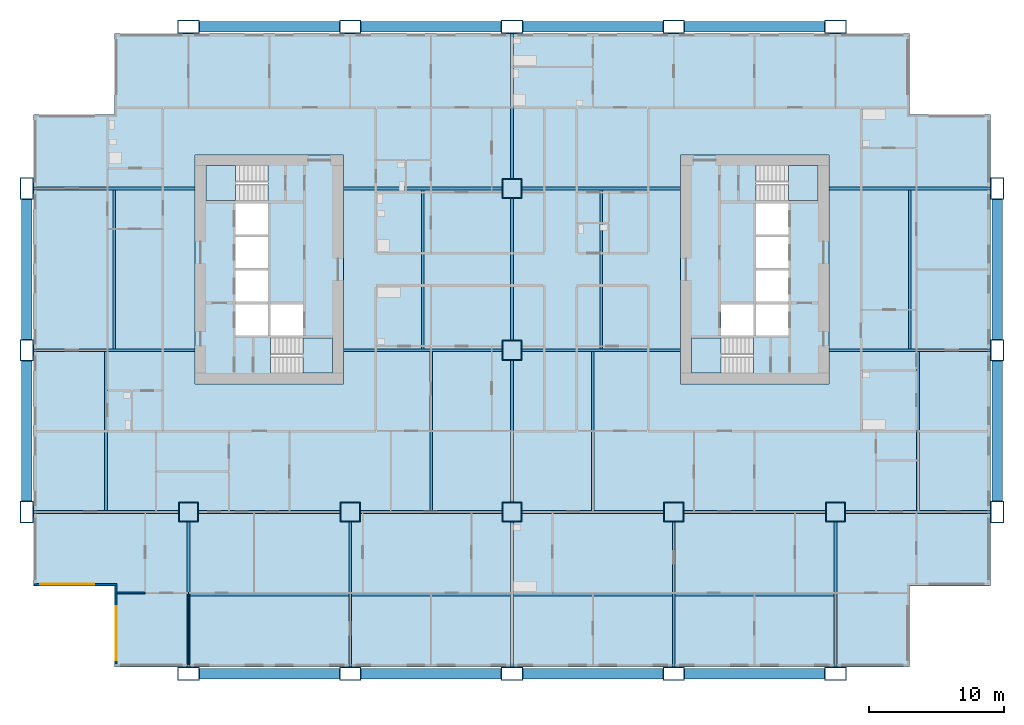
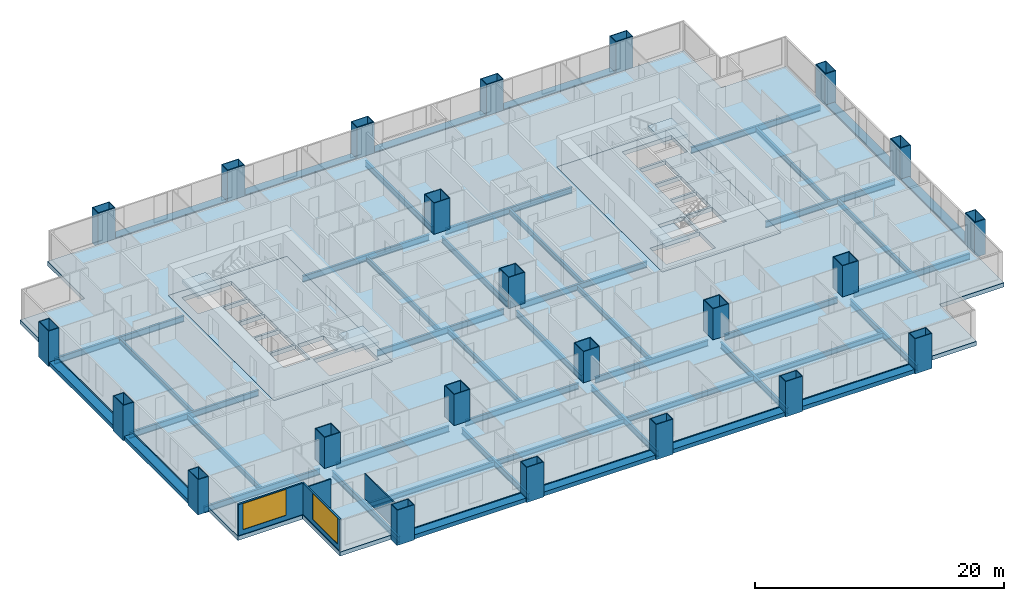
# One storey, part 1 of 14: 46 beams, 23 columns, 7 slabs, 4 walls, 2 windows, 2 openings, 4 elements without a shape of their own.
"""IFC4 building model written with IfcOpenShell, lengths in metres."""

from ifc_helpers import new_model, si_unit, direction, frame, frame_2d, origin, origin_2d, place, context, subcontext, project, spatial, polyline, rectangle, hollow_rectangle, i_section, outline, extrude, material, layer, layer_set, material_profile, profile_set, type_object, element, fill, aggregate, save


model = new_model("IFC4")

# Units and contexts
model_context = context("Model", 3, precision=1e-05, world=origin(), true_north=direction((0.0, 1.0)))
body_context = subcontext(model_context, "Body", "Model", "MODEL_VIEW")
ifc_project = project(units=[si_unit("LENGTHUNIT", "METRE"), si_unit("AREAUNIT", "SQUARE_METRE"), si_unit("VOLUMEUNIT", "CUBIC_METRE"), si_unit("PLANEANGLEUNIT", "RADIAN"), si_unit("MASSUNIT", "GRAM", prefix="KILO")], contexts=[model_context])

# Site, building, storey
site_placement = place(None, origin())
site = spatial("IfcSite", under=ifc_project, at=site_placement, CompositionType="ELEMENT")
building_placement = place(site_placement, origin())
building = spatial("IfcBuilding", under=site, at=building_placement, Name="Kitamizu Gate Tower and Museum", CompositionType="ELEMENT")
storey_placement = place(building_placement, frame((0.0, 0.0, 85.199951171875)))
storey = spatial("IfcBuildingStorey", under=building, at=storey_placement, Name="L21", CompositionType="ELEMENT", Elevation=85.199951171875)

# Columns
ifc_material_1 = material(Name="Steel SM490A bronze coated", Category="steel")
ifc_material_profile_1 = material_profile(ifc_material_1, hollow_rectangle(XDim=1.60009765625, YDim=1.0, WallThickness=0.06494140625, at=origin_2d()), Name="BOX 1600x1000x65")
ifc_profile_set_1 = profile_set([ifc_material_profile_1], Name="Steel SM490A bronze coated")
column_type_1 = type_object("IfcColumnType", Name="Exoskeleton column XC3 BOX 1600x1000x65", PredefinedType="COLUMN", material=ifc_profile_set_1)
for number, where, z_axis, x_axis, name in (
    (1, (0.0, 12.0, -0.39990234375), (0.0, 0.0, 1.0), (0.0, 1.0, 0.0), "Column XC3 1B L21"),
    (2, (0.0, 24.0, -0.39990234375), (0.0, 0.0, 1.0), (0.0, 1.0, 0.0), "Column XC3 1C L21"),
    (3, (0.0, 36.0, -0.39990234375), (0.0, 0.0, 1.0), (0.0, 1.0, 0.0), "Column XC3 1D L21"),
    (4, (12.0, 0.0, -0.39990234375), (0.0, 0.0, 1.0), (1.0, 0.0, 0.0), "Column XC3 2A L21"),
    (5, (12.0, 48.0, -0.39990234375), (0.0, 0.0, 1.0), (1.0, 0.0, 0.0), "Column XC3 2E L21"),
    (6, (24.0, 0.0, -0.39990234375), (0.0, 0.0, 1.0), (1.0, 0.0, 0.0), "Column XC3 3A L21"),
    (7, (24.0, 48.0, -0.39990234375), (0.0, 0.0, 1.0), (1.0, 0.0, 0.0), "Column XC3 3E L21"),
    (8, (36.0, 0.0, -0.39990234375), (0.0, 0.0, 1.0), (1.0, 0.0, 0.0), "Column XC3 4A L21"),
    (9, (36.0, 48.0, -0.39990234375), (0.0, 0.0, 1.0), (1.0, 0.0, 0.0), "Column XC3 4E L21"),
    (10, (48.0, 0.0, -0.39990234375), (0.0, 0.0, 1.0), (1.0, 0.0, 0.0), "Column XC3 5A L21"),
    (11, (48.0, 48.0, -0.39990234375), (0.0, 0.0, 1.0), (1.0, 0.0, 0.0), "Column XC3 5E L21"),
    (12, (60.0, 0.0, -0.39990234375), (0.0, 0.0, 1.0), (1.0, 0.0, 0.0), "Column XC3 6A L21"),
    (13, (60.0, 48.0, -0.39990234375), (0.0, 0.0, 1.0), (1.0, 0.0, 0.0), "Column XC3 6E L21"),
    (14, (72.0, 12.0, -0.39990234375), (0.0, 0.0, 1.0), (0.0, 1.0, 0.0), "Column XC3 7B L21"),
    (15, (72.0, 24.0, -0.39990234375), (0.0, 0.0, 1.0), (0.0, 1.0, 0.0), "Column XC3 7C L21"),
    (16, (72.0, 36.0, -0.39990234375), (0.0, 0.0, 1.0), (0.0, 1.0, 0.0), "Column XC3 7D L21"),
):
    element("IfcColumn", number, at=place(storey_placement, frame(where, z_axis=z_axis, x_axis=x_axis)), inside=storey, type_object=column_type_1, Name=name, PredefinedType="COLUMN", context=body_context, shape_type="SweptSolid", body=[
        extrude(hollow_rectangle(XDim=1.60009765625, YDim=1.0, WallThickness=0.06494140625, at=origin_2d()), origin(), (0.0, 0.0, 1.0), 3.449951171875),
    ])
ifc_material_2 = material(Name="Steel SM490A", Category="steel")
ifc_material_profile_2 = material_profile(ifc_material_2, hollow_rectangle(XDim=1.5, YDim=1.5, WallThickness=0.06494140625, at=origin_2d()), Name="BOX 1500x1500x65")
ifc_profile_set_2 = profile_set([ifc_material_profile_2], Name="Steel SM490A")
column_type_2 = type_object("IfcColumnType", Name="Interior column IC2 BOX 1500x1500x65", PredefinedType="COLUMN", material=ifc_profile_set_2)
for number, where, z_axis, x_axis, name in (
    (17, (12.0, 12.0, 0.0), (0.0, 0.0, 1.0), (1.0, 0.0, 0.0), "Column IC2 2B L21"),
    (18, (24.0, 12.0, 0.0), (0.0, 0.0, 1.0), (1.0, 0.0, 0.0), "Column IC2 3B L21"),
    (19, (36.0, 12.0, 0.0), (0.0, 0.0, 1.0), (1.0, 0.0, 0.0), "Column IC2 4B L21"),
    (20, (36.0, 24.0, 0.0), (0.0, 0.0, 1.0), (1.0, 0.0, 0.0), "Column IC2 4C L21"),
    (21, (36.0, 36.0, 0.0), (0.0, 0.0, 1.0), (1.0, 0.0, 0.0), "Column IC2 4D L21"),
    (22, (48.0, 12.0, 0.0), (0.0, 0.0, 1.0), (1.0, 0.0, 0.0), "Column IC2 5B L21"),
    (23, (60.0, 12.0, 0.0), (0.0, 0.0, 1.0), (1.0, 0.0, 0.0), "Column IC2 6B L21"),
):
    element("IfcColumn", number, at=place(storey_placement, frame(where, z_axis=z_axis, x_axis=x_axis)), inside=storey, type_object=column_type_2, Name=name, PredefinedType="COLUMN", context=body_context, shape_type="SweptSolid", body=[
        extrude(hollow_rectangle(XDim=1.5, YDim=1.5, WallThickness=0.06494140625, at=origin_2d()), origin(), (0.0, 0.0, 1.0), 3.050048828125),
    ])

# Beams
ifc_material_3 = material(Name="Steel SM490A bronze coated", Category="steel")
ifc_material_profile_3 = material_profile(ifc_material_3, hollow_rectangle(XDim=0.800048828125, YDim=0.39990234375, WallThickness=0.0400390625, at=origin_2d()), Name="BOX 800x400x40")
ifc_profile_set_3 = profile_set([ifc_material_profile_3], Name="Steel SM490A bronze coated")
beam_type_1 = type_object("IfcBeamType", Name="Exoskeleton spandrel beam SB1 BOX 800x400x40", PredefinedType="SPANDREL", material=ifc_profile_set_3)
for number, where, z_axis, x_axis, name in (
    (24, (12.800048828125, 0.0, -0.199951171875), (1.0, 0.0, 0.0), (0.0, 1.0, 0.0), "Exoskeleton spandrel beam south 12 L21"),
    (25, (24.800048828125, 0.0, -0.199951171875), (1.0, 0.0, 0.0), (0.0, 1.0, 0.0), "Exoskeleton spandrel beam south 24 L21"),
    (26, (36.800048828125, 0.0, -0.199951171875), (1.0, 0.0, 0.0), (0.0, 1.0, 0.0), "Exoskeleton spandrel beam south 36 L21"),
    (27, (48.800048828125, 0.0, -0.199951171875), (1.0, 0.0, 0.0), (0.0, 1.0, 0.0), "Exoskeleton spandrel beam south 48 L21"),
    (28, (12.800048828125, 48.0, -0.199951171875), (1.0, 0.0, 0.0), (0.0, 1.0, 0.0), "Exoskeleton spandrel beam north 12 L21"),
    (29, (24.800048828125, 48.0, -0.199951171875), (1.0, 0.0, 0.0), (0.0, 1.0, 0.0), "Exoskeleton spandrel beam north 24 L21"),
    (30, (36.800048828125, 48.0, -0.199951171875), (1.0, 0.0, 0.0), (0.0, 1.0, 0.0), "Exoskeleton spandrel beam north 36 L21"),
    (31, (48.800048828125, 48.0, -0.199951171875), (1.0, 0.0, 0.0), (0.0, 1.0, 0.0), "Exoskeleton spandrel beam north 48 L21"),
    (32, (0.0, 12.800048828125, -0.199951171875), (0.0, 1.0, 0.0), (-1.0, 0.0, 0.0), "Exoskeleton spandrel beam west 12 L21"),
    (33, (0.0, 24.800048828125, -0.199951171875), (0.0, 1.0, 0.0), (-1.0, 0.0, 0.0), "Exoskeleton spandrel beam west 24 L21"),
    (34, (72.0, 12.800048828125, -0.199951171875), (0.0, 1.0, 0.0), (-1.0, 0.0, 0.0), "Exoskeleton spandrel beam east 12 L21"),
    (35, (72.0, 24.800048828125, -0.199951171875), (0.0, 1.0, 0.0), (-1.0, 0.0, 0.0), "Exoskeleton spandrel beam east 24 L21"),
):
    element("IfcBeam", number, at=place(storey_placement, frame(where, z_axis=z_axis, x_axis=x_axis)), inside=storey, type_object=beam_type_1, Name=name, PredefinedType="SPANDREL", context=body_context, shape_type="SweptSolid", body=[
        extrude(hollow_rectangle(XDim=0.800048828125, YDim=0.39990234375, WallThickness=0.0400390625, at=origin_2d()), origin(), (0.0, 0.0, 1.0), 10.39990234375),
    ])
ifc_material_4 = material(Name="Steel SM490A", Category="steel")
ifc_material_profile_4 = material_profile(ifc_material_4, i_section(OverallWidth=0.199951171875, OverallDepth=0.5, WebThickness=0.010009765625, FlangeThickness=0.01611328125, FilletRadius=0.02001953125, at=origin_2d()), Name="H-500x200x10x16")
ifc_profile_set_4 = profile_set([ifc_material_profile_4], Name="Steel SM490A")
beam_type_2 = type_object("IfcBeamType", Name="Floor beam FB1 H 500x200x10x16", PredefinedType="BEAM", material=ifc_profile_set_4)
for number, where, z_axis, x_axis, name in (
    (36, (12.10009765625, 5.875, -0.64990234375), (1.0, 0.0, 0.0), (0.0, 1.0, 0.0), "Floor beam FB1 L21-1"),
    (37, (24.10009765625, 5.875, -0.64990234375), (1.0, 0.0, 0.0), (0.0, 1.0, 0.0), "Floor beam FB1 L21-2"),
    (38, (36.10009765625, 5.875, -0.64990234375), (1.0, 0.0, 0.0), (0.0, 1.0, 0.0), "Floor beam FB1 L21-3"),
    (39, (48.10009765625, 5.875, -0.64990234375), (1.0, 0.0, 0.0), (0.0, 1.0, 0.0), "Floor beam FB1 L21-4"),
    (40, (5.875, 12.10009765625, -0.64990234375), (0.0, 1.0, 0.0), (-1.0, 0.0, 0.0), "Floor beam FB1 L21-5"),
    (41, (30.0, 12.10009765625, -0.64990234375), (0.0, 1.0, 0.0), (-1.0, 0.0, 0.0), "Floor beam FB1 L21-6"),
    (42, (42.0, 12.10009765625, -0.64990234375), (0.0, 1.0, 0.0), (-1.0, 0.0, 0.0), "Floor beam FB1 L21-7"),
    (43, (66.125, 12.10009765625, -0.64990234375), (0.0, 1.0, 0.0), (-1.0, 0.0, 0.0), "Floor beam FB1 L21-8"),
    (44, (6.5, 24.10009765625, -0.64990234375), (0.0, 1.0, 0.0), (-1.0, 0.0, 0.0), "Floor beam FB1 L21-9"),
    (45, (29.375, 24.10009765625, -0.64990234375), (0.0, 1.0, 0.0), (-1.0, 0.0, 0.0), "Floor beam FB1 L21-10"),
    (46, (42.625, 24.10009765625, -0.64990234375), (0.0, 1.0, 0.0), (-1.0, 0.0, 0.0), "Floor beam FB1 L21-11"),
    (47, (65.5, 24.10009765625, -0.64990234375), (0.0, 1.0, 0.0), (-1.0, 0.0, 0.0), "Floor beam FB1 L21-12"),
):
    element("IfcBeam", number, at=place(storey_placement, frame(where, z_axis=z_axis, x_axis=x_axis)), inside=storey, type_object=beam_type_2, Name=name, PredefinedType="BEAM", context=body_context, shape_type="SweptSolid", body=[
        extrude(i_section(OverallWidth=0.199951171875, OverallDepth=0.5, WebThickness=0.010009765625, FlangeThickness=0.01611328125, FilletRadius=0.02001953125, at=origin_2d()), origin(), (0.0, 0.0, 1.0), 11.7998046875),
    ])
ifc_material_5 = material(Name="Steel SM490A", Category="steel")
ifc_material_profile_5 = material_profile(ifc_material_5, i_section(OverallWidth=0.199951171875, OverallDepth=0.60009765625, WebThickness=0.010986328125, FlangeThickness=0.01708984375, FilletRadius=0.02197265625, at=origin_2d()), Name="H-600x200x11x17")
ifc_profile_set_5 = profile_set([ifc_material_profile_5], Name="Steel SM490A")
beam_type_3 = type_object("IfcBeamType", Name="Floor girder FG1 H 600x200x11x17", PredefinedType="BEAM", material=ifc_profile_set_5)
for number, where, z_axis, x_axis, name in (
    (48, (12.0, 0.5, -0.699951171875), (0.0, 1.0, 0.0), (-1.0, 0.0, 0.0), "Floor girder FG1 x12 L21"),
    (49, (24.0, 0.5, -0.699951171875), (0.0, 1.0, 0.0), (-1.0, 0.0, 0.0), "Floor girder FG1 x24 L21"),
    (50, (36.0, 0.5, -0.699951171875), (0.0, 1.0, 0.0), (-1.0, 0.0, 0.0), "Floor girder FG1 x36 L21"),
):
    element("IfcBeam", number, at=place(storey_placement, frame(where, z_axis=z_axis, x_axis=x_axis)), inside=storey, type_object=beam_type_3, Name=name, PredefinedType="BEAM", context=body_context, shape_type="SweptSolid", body=[
        extrude(i_section(OverallWidth=0.199951171875, OverallDepth=0.60009765625, WebThickness=0.010986328125, FlangeThickness=0.01708984375, FilletRadius=0.02197265625, at=origin_2d()), origin(), (0.0, 0.0, 1.0), 10.75),
    ])
for number, where, z_axis, x_axis, name in (
    (51, (36.0, 12.75, -0.699951171875), (0.0, 1.0, 0.0), (-1.0, 0.0, 0.0), "Floor girder FG1 x36 L21"),
    (52, (36.0, 24.75, -0.699951171875), (0.0, 1.0, 0.0), (-1.0, 0.0, 0.0), "Floor girder FG1 x36 L21"),
):
    element("IfcBeam", number, at=place(storey_placement, frame(where, z_axis=z_axis, x_axis=x_axis)), inside=storey, type_object=beam_type_3, Name=name, PredefinedType="BEAM", context=body_context, shape_type="SweptSolid", body=[
        extrude(i_section(OverallWidth=0.199951171875, OverallDepth=0.60009765625, WebThickness=0.010986328125, FlangeThickness=0.01708984375, FilletRadius=0.02197265625, at=origin_2d()), origin(), (0.0, 0.0, 1.0), 10.5),
    ])
for number, where, z_axis, x_axis, name in (
    (53, (36.0, 36.75, -0.699951171875), (0.0, 1.0, 0.0), (-1.0, 0.0, 0.0), "Floor girder FG1 x36 L21"),
    (54, (48.0, 0.5, -0.699951171875), (0.0, 1.0, 0.0), (-1.0, 0.0, 0.0), "Floor girder FG1 x48 L21"),
    (55, (60.0, 0.5, -0.699951171875), (0.0, 1.0, 0.0), (-1.0, 0.0, 0.0), "Floor girder FG1 x60 L21"),
    (56, (0.5, 12.0, -0.699951171875), (1.0, 0.0, 0.0), (0.0, 1.0, 0.0), "Floor girder FG1 y12 L21"),
):
    element("IfcBeam", number, at=place(storey_placement, frame(where, z_axis=z_axis, x_axis=x_axis)), inside=storey, type_object=beam_type_3, Name=name, PredefinedType="BEAM", context=body_context, shape_type="SweptSolid", body=[
        extrude(i_section(OverallWidth=0.199951171875, OverallDepth=0.60009765625, WebThickness=0.010986328125, FlangeThickness=0.01708984375, FilletRadius=0.02197265625, at=origin_2d()), origin(), (0.0, 0.0, 1.0), 10.75),
    ])
for number, where, z_axis, x_axis, name in (
    (57, (12.75, 12.0, -0.699951171875), (1.0, 0.0, 0.0), (0.0, 1.0, 0.0), "Floor girder FG1 y12 L21"),
    (58, (24.75, 12.0, -0.699951171875), (1.0, 0.0, 0.0), (0.0, 1.0, 0.0), "Floor girder FG1 y12 L21"),
    (59, (36.75, 12.0, -0.699951171875), (1.0, 0.0, 0.0), (0.0, 1.0, 0.0), "Floor girder FG1 y12 L21"),
    (60, (48.75, 12.0, -0.699951171875), (1.0, 0.0, 0.0), (0.0, 1.0, 0.0), "Floor girder FG1 y12 L21"),
):
    element("IfcBeam", number, at=place(storey_placement, frame(where, z_axis=z_axis, x_axis=x_axis)), inside=storey, type_object=beam_type_3, Name=name, PredefinedType="BEAM", context=body_context, shape_type="SweptSolid", body=[
        extrude(i_section(OverallWidth=0.199951171875, OverallDepth=0.60009765625, WebThickness=0.010986328125, FlangeThickness=0.01708984375, FilletRadius=0.02197265625, at=origin_2d()), origin(), (0.0, 0.0, 1.0), 10.5),
    ])
beam_1_placement = place(storey_placement, frame((60.75, 12.0, -0.699951171875), z_axis=(1.0, 0.0, 0.0), x_axis=(0.0, 1.0, 0.0)))
element("IfcBeam", 61, at=beam_1_placement, inside=storey, type_object=beam_type_3, Name="Floor girder FG1 y12 L21", PredefinedType="BEAM", context=body_context, shape_type="SweptSolid", body=[
    extrude(i_section(OverallWidth=0.199951171875, OverallDepth=0.60009765625, WebThickness=0.010986328125, FlangeThickness=0.01708984375, FilletRadius=0.02197265625, at=origin_2d()), origin(), (0.0, 0.0, 1.0), 10.75),
])
beam_2_placement = place(storey_placement, frame((0.5, 24.0, -0.699951171875), z_axis=(1.0, 0.0, 0.0), x_axis=(0.0, 1.0, 0.0)))
element("IfcBeam", 62, at=beam_2_placement, inside=storey, type_object=beam_type_3, Name="Floor girder FG1 y24 L21", PredefinedType="BEAM", context=body_context, shape_type="SweptSolid", body=[
    extrude(i_section(OverallWidth=0.199951171875, OverallDepth=0.60009765625, WebThickness=0.010986328125, FlangeThickness=0.01708984375, FilletRadius=0.02197265625, at=origin_2d()), origin(), (0.0, 0.0, 1.0), 12.0),
])
for number, where, z_axis, x_axis, name in (
    (63, (23.5, 24.0, -0.699951171875), (1.0, 0.0, 0.0), (0.0, 1.0, 0.0), "Floor girder FG1 y24 L21"),
    (64, (36.75, 24.0, -0.699951171875), (1.0, 0.0, 0.0), (0.0, 1.0, 0.0), "Floor girder FG1 y24 L21"),
):
    element("IfcBeam", number, at=place(storey_placement, frame(where, z_axis=z_axis, x_axis=x_axis)), inside=storey, type_object=beam_type_3, Name=name, PredefinedType="BEAM", context=body_context, shape_type="SweptSolid", body=[
        extrude(i_section(OverallWidth=0.199951171875, OverallDepth=0.60009765625, WebThickness=0.010986328125, FlangeThickness=0.01708984375, FilletRadius=0.02197265625, at=origin_2d()), origin(), (0.0, 0.0, 1.0), 11.75),
    ])
for number, where, z_axis, x_axis, name in (
    (65, (59.5, 24.0, -0.699951171875), (1.0, 0.0, 0.0), (0.0, 1.0, 0.0), "Floor girder FG1 y24 L21"),
    (66, (0.5, 36.0, -0.699951171875), (1.0, 0.0, 0.0), (0.0, 1.0, 0.0), "Floor girder FG1 y36 L21"),
):
    element("IfcBeam", number, at=place(storey_placement, frame(where, z_axis=z_axis, x_axis=x_axis)), inside=storey, type_object=beam_type_3, Name=name, PredefinedType="BEAM", context=body_context, shape_type="SweptSolid", body=[
        extrude(i_section(OverallWidth=0.199951171875, OverallDepth=0.60009765625, WebThickness=0.010986328125, FlangeThickness=0.01708984375, FilletRadius=0.02197265625, at=origin_2d()), origin(), (0.0, 0.0, 1.0), 12.0),
    ])
for number, where, z_axis, x_axis, name in (
    (67, (23.5, 36.0, -0.699951171875), (1.0, 0.0, 0.0), (0.0, 1.0, 0.0), "Floor girder FG1 y36 L21"),
    (68, (36.75, 36.0, -0.699951171875), (1.0, 0.0, 0.0), (0.0, 1.0, 0.0), "Floor girder FG1 y36 L21"),
):
    element("IfcBeam", number, at=place(storey_placement, frame(where, z_axis=z_axis, x_axis=x_axis)), inside=storey, type_object=beam_type_3, Name=name, PredefinedType="BEAM", context=body_context, shape_type="SweptSolid", body=[
        extrude(i_section(OverallWidth=0.199951171875, OverallDepth=0.60009765625, WebThickness=0.010986328125, FlangeThickness=0.01708984375, FilletRadius=0.02197265625, at=origin_2d()), origin(), (0.0, 0.0, 1.0), 11.75),
    ])
beam_3_placement = place(storey_placement, frame((59.5, 36.0, -0.699951171875), z_axis=(1.0, 0.0, 0.0), x_axis=(0.0, 1.0, 0.0)))
element("IfcBeam", 69, at=beam_3_placement, inside=storey, type_object=beam_type_3, Name="Floor girder FG1 y36 L21", PredefinedType="BEAM", context=body_context, shape_type="SweptSolid", body=[
    extrude(i_section(OverallWidth=0.199951171875, OverallDepth=0.60009765625, WebThickness=0.010986328125, FlangeThickness=0.01708984375, FilletRadius=0.02197265625, at=origin_2d()), origin(), (0.0, 0.0, 1.0), 12.0),
])

# Slabs
ifc_material_6 = material(Name="Concrete Fc36", Category="concrete")
ifc_layer_1 = layer(ifc_material_6, 0.39990234375)
ifc_layer_set_1 = layer_set([ifc_layer_1], Name="Concrete Fc36")
slab_type_1 = type_object("IfcSlabType", Name="Core floor slab 400", PredefinedType="FLOOR", material=ifc_layer_set_1)
slab_1_placement = place(storey_placement, frame((0.0, 0.0, -0.39990234375)))
element("IfcSlab", 70, at=slab_1_placement, inside=storey, type_object=slab_type_1, Name="Core floor slab W", PredefinedType="FLOOR", context=body_context, shape_type="SweptSolid", body=[
    extrude(outline(polyline([(12.5, 21.5), (23.5, 21.5), (23.5, 38.5), (12.5, 38.5), (12.5, 21.5)]), holes=[polyline([(15.5, 25.10009765625), (17.89990234375, 25.10009765625), (17.89990234375, 27.39990234375), (15.5, 27.39990234375), (15.5, 25.10009765625)]), polyline([(15.5, 27.60009765625), (17.89990234375, 27.60009765625), (17.89990234375, 29.89990234375), (15.5, 29.89990234375), (15.5, 27.60009765625)]), polyline([(15.5, 30.10009765625), (17.89990234375, 30.10009765625), (17.89990234375, 32.39990234375), (15.5, 32.39990234375), (15.5, 30.10009765625)]), polyline([(15.5, 32.60009765625), (17.89990234375, 32.60009765625), (17.89990234375, 34.89990234375), (15.5, 34.89990234375), (15.5, 32.60009765625)]), polyline([(18.10009765625, 25.10009765625), (20.5, 25.10009765625), (20.5, 27.39990234375), (18.10009765625, 27.39990234375), (18.10009765625, 25.10009765625)]), polyline([(18.1005859375, 22.300048828125), (22.699951171875, 22.300048828125), (22.699951171875, 24.89990234375), (18.1005859375, 24.89990234375), (18.1005859375, 22.300048828125)]), polyline([(13.300048828125, 35.10009765625), (17.8994140625, 35.10009765625), (17.8994140625, 37.699951171875), (13.300048828125, 37.699951171875), (13.300048828125, 35.10009765625)])]), origin(), (0.0, 0.0, 1.0), 0.39990234375),
])
slab_2_placement = place(storey_placement, frame((0.0, 0.0, -0.39990234375)))
element("IfcSlab", 71, at=slab_2_placement, inside=storey, type_object=slab_type_1, Name="Core floor slab E", PredefinedType="FLOOR", context=body_context, shape_type="SweptSolid", body=[
    extrude(outline(polyline([(48.5, 21.5), (59.5, 21.5), (59.5, 38.5), (48.5, 38.5), (48.5, 21.5)]), holes=[polyline([(54.10009765625, 25.10009765625), (56.5, 25.10009765625), (56.5, 27.39990234375), (54.10009765625, 27.39990234375), (54.10009765625, 25.10009765625)]), polyline([(54.10009765625, 27.60009765625), (56.5, 27.60009765625), (56.5, 29.89990234375), (54.10009765625, 29.89990234375), (54.10009765625, 27.60009765625)]), polyline([(54.10009765625, 30.10009765625), (56.5, 30.10009765625), (56.5, 32.39990234375), (54.10009765625, 32.39990234375), (54.10009765625, 30.10009765625)]), polyline([(54.10009765625, 32.60009765625), (56.5, 32.60009765625), (56.5, 34.89990234375), (54.10009765625, 34.89990234375), (54.10009765625, 32.60009765625)]), polyline([(51.5, 25.10009765625), (53.89990234375, 25.10009765625), (53.89990234375, 27.39990234375), (51.5, 27.39990234375), (51.5, 25.10009765625)]), polyline([(49.300048828125, 22.300048828125), (53.8994140625, 22.300048828125), (53.8994140625, 24.89990234375), (49.300048828125, 24.89990234375), (49.300048828125, 22.300048828125)]), polyline([(54.1005859375, 35.10009765625), (58.699951171875, 35.10009765625), (58.699951171875, 37.699951171875), (54.1005859375, 37.699951171875), (54.1005859375, 35.10009765625)])]), origin(), (0.0, 0.0, 1.0), 0.39990234375),
])
ifc_material_7 = material(Name="Concrete Fc36", Category="concrete")
ifc_layer_2 = layer(ifc_material_7, 0.39990234375)
ifc_layer_set_2 = layer_set([ifc_layer_2], Name="Concrete Fc36")
slab_type_2 = type_object("IfcSlabType", Name="Post tensioned flat slab 400", PredefinedType="FLOOR", material=ifc_layer_set_2)
slab_3_placement = place(storey_placement, frame((0.0, 0.0, -0.39990234375)))
element("IfcSlab", 72, at=slab_3_placement, inside=storey, type_object=slab_type_2, Name="Floor slab L21-1", PredefinedType="FLOOR", context=body_context, shape_type="SweptSolid", body=[
    extrude(outline(polyline([(0.5, 6.5), (0.5, 41.5), (6.5, 41.5), (6.5, 47.5), (65.5, 47.5), (65.5, 41.5), (71.5, 41.5), (71.5, 6.5), (65.5, 6.5), (65.5, 0.5), (6.5, 0.5), (6.5, 6.5), (0.5, 6.5)]), holes=[polyline([(59.5, 38.5), (48.5, 38.5), (48.5, 21.5), (59.5, 21.5), (59.5, 38.5)]), polyline([(12.5, 38.5), (12.5, 21.5), (23.5, 21.5), (23.5, 38.5), (12.5, 38.5)])]), origin(), (0.0, 0.0, 1.0), 0.39990234375),
])

# Stair, slab
ifc_material_8 = material(Name="Concrete Fc42", Category="concrete")
stair_type = type_object("IfcStairType", Name="Exit stair 1200 wide 192 rise 300 going", PredefinedType="HALF_TURN_STAIR", material=ifc_material_8)
stair_1_placement = place(storey_placement, origin())
stair_1 = element("IfcStair", 73, at=stair_1_placement, inside=storey, type_object=stair_type, Name="Exit stair ST1", PredefinedType="HALF_TURN_STAIR")
ifc_material_9 = material(Name="Concrete Fc42", Category="concrete")
ifc_layer_3 = layer(ifc_material_9, 0.300048828125)
ifc_layer_set_3 = layer_set([ifc_layer_3], Name="Concrete Fc42")
slab_type_3 = type_object("IfcSlabType", Name="Stair landing 300", PredefinedType="LANDING", material=ifc_layer_set_3)
slab_4_placement = place(storey_placement, frame((0.0, 0.0, 1.425048828125)))
slab_4 = element("IfcSlab", 74, at=slab_4_placement, type_object=slab_type_3, Name="ST1 landing 1", PredefinedType="LANDING", context=body_context, shape_type="SweptSolid", body=[
    extrude(outline(polyline([(20.5, 22.300048828125), (22.699951171875, 22.300048828125), (22.699951171875, 24.89990234375), (20.5, 24.89990234375), (20.5, 22.300048828125)])), origin(), (0.0, 0.0, 1.0), 0.300048828125),
])
aggregate(stair_1, [slab_4])

stair_2_placement = place(storey_placement, origin())
stair_2 = element("IfcStair", 75, at=stair_2_placement, inside=storey, type_object=stair_type, Name="Exit stair ST2", PredefinedType="HALF_TURN_STAIR")
slab_5_placement = place(storey_placement, frame((0.0, 0.0, 1.425048828125)))
slab_5 = element("IfcSlab", 76, at=slab_5_placement, type_object=slab_type_3, Name="ST2 landing 1", PredefinedType="LANDING", context=body_context, shape_type="SweptSolid", body=[
    extrude(outline(polyline([(13.300048828125, 35.10009765625), (15.5, 35.10009765625), (15.5, 37.699951171875), (13.300048828125, 37.699951171875), (13.300048828125, 35.10009765625)])), origin(), (0.0, 0.0, 1.0), 0.300048828125),
])
aggregate(stair_2, [slab_5])

stair_3_placement = place(storey_placement, origin())
stair_3 = element("IfcStair", 77, at=stair_3_placement, inside=storey, type_object=stair_type, Name="Exit stair ST3", PredefinedType="HALF_TURN_STAIR")
slab_6_placement = place(storey_placement, frame((0.0, 0.0, 1.425048828125)))
slab_6 = element("IfcSlab", 78, at=slab_6_placement, type_object=slab_type_3, Name="ST3 landing 1", PredefinedType="LANDING", context=body_context, shape_type="SweptSolid", body=[
    extrude(outline(polyline([(49.300048828125, 22.300048828125), (51.5, 22.300048828125), (51.5, 24.89990234375), (49.300048828125, 24.89990234375), (49.300048828125, 22.300048828125)])), origin(), (0.0, 0.0, 1.0), 0.300048828125),
])
aggregate(stair_3, [slab_6])

stair_4_placement = place(storey_placement, origin())
stair_4 = element("IfcStair", 79, at=stair_4_placement, inside=storey, type_object=stair_type, Name="Exit stair ST4", PredefinedType="HALF_TURN_STAIR")
slab_7_placement = place(storey_placement, frame((0.0, 0.0, 1.425048828125)))
slab_7 = element("IfcSlab", 80, at=slab_7_placement, type_object=slab_type_3, Name="ST4 landing 1", PredefinedType="LANDING", context=body_context, shape_type="SweptSolid", body=[
    extrude(outline(polyline([(56.5, 35.10009765625), (58.699951171875, 35.10009765625), (58.699951171875, 37.699951171875), (56.5, 37.699951171875), (56.5, 35.10009765625)])), origin(), (0.0, 0.0, 1.0), 0.300048828125),
])
aggregate(stair_4, [slab_7])

# Walls
ifc_material_10 = material(Name="Gypsum board on galvanised stud")
ifc_layer_4 = layer(ifc_material_10, 0.10009765625)
ifc_layer_set_4 = layer_set([ifc_layer_4], Name="Gypsum board on galvanised stud")
wall_type_1 = type_object("IfcWallType", Name="Partition 100 NOT RATED", PredefinedType="PARTITIONING", material=ifc_layer_set_4)
wall_1_placement = place(storey_placement, frame((12.0, 0.719970703125, 0.0), z_axis=(0.0, 0.0, 1.0), x_axis=(0.0, 1.0, 0.0)))
element("IfcWall", 81, at=wall_1_placement, inside=storey, type_object=wall_type_1, Name="Partition L21-001", PredefinedType="PARTITIONING", context=body_context, shape_type="SweptSolid", body=[
    extrude(rectangle(XDim=5.280029296875, YDim=0.10009765625, at=frame_2d((2.64013671875, 0.0))), origin(), (0.0, 0.0, 1.0), 2.449951171875),
])
wall_2_placement = place(storey_placement, frame((8.7900390625, 6.0, 0.0), z_axis=(0.0, 0.0, 1.0), x_axis=(-1.0, 0.0, 0.0)))
element("IfcWall", 82, at=wall_2_placement, inside=storey, type_object=wall_type_1, Name="Partition L21-002", PredefinedType="PARTITIONING", context=body_context, shape_type="SweptSolid", body=[
    extrude(rectangle(XDim=2.070068359375, YDim=0.10009765625, at=frame_2d((1.03515625, 0.0))), origin(), (0.0, 0.0, 1.0), 3.050048828125),
])

# Wall, opening, window
ifc_material_11 = material(Name="Bronze anodised aluminium frame with insulated spandrel and tinted glass", Category="aluminium")
ifc_layer_5 = layer(ifc_material_11, 0.14990234375)
ifc_layer_set_5 = layer_set([ifc_layer_5], Name="Bronze anodised aluminium frame with insulated spandrel and tinted glass")
wall_type_2 = type_object("IfcWallType", Name="WINDOW WALL 150 BRONZE FRAME EI 30", PredefinedType="ELEMENTEDWALL", material=ifc_layer_set_5)
wall_3_placement = place(storey_placement, frame((0.56005859375, 6.635009765625, 0.0), z_axis=(0.0, 0.0, 1.0), x_axis=(1.0, 0.0, 0.0)))
wall_3 = element("IfcWall", 83, at=wall_3_placement, inside=storey, type_object=wall_type_2, Name="Window wall south L21", PredefinedType="ELEMENTEDWALL", context=body_context, shape_type="SweptSolid", body=[
    extrude(rectangle(XDim=6.14990234375, YDim=0.14990234375, at=frame_2d((3.074951171875, 0.0))), origin(), (0.0, 0.0, 1.0), 3.050048828125),
])
opening_1_placement = place(wall_3_placement, frame((0.43994140625, 0.0, 0.449951171875)))
opening_1 = element("IfcOpeningElement", 84, at=opening_1_placement, cuts=wall_3, Name="Opening W16", PredefinedType="OPENING", context=body_context, shape_type="SweptSolid", body=[
    extrude(rectangle(XDim=4.0, YDim=2.550048828125, at=frame_2d((2.0, 1.27490234375))), frame((0.0, 0.0849609375, 0.0), z_axis=(0.0, -1.0, 0.0), x_axis=(1.0, 0.0, 0.0)), (0.0, 0.0, 1.0), 0.169921875),
])
ifc_material_12 = material(Name="Bronze anodised aluminium frame, tinted triple glazing", Category="aluminium")
window_type = type_object("IfcWindowType", Name="WINDOW 4000 x 2550 SILL 450", PartitioningType="SINGLE_PANEL", PredefinedType="WINDOW", material=ifc_material_12)
window_1_placement = place(opening_1_placement, origin())
window_1 = element("IfcWindow", 85, at=window_1_placement, inside=storey, type_object=window_type, Name="Window W16 L21", OverallHeight=2.550048828125, OverallWidth=4.0, PartitioningType="SINGLE_PANEL", PredefinedType="WINDOW", context=body_context, shape_type="SweptSolid", body=[
    extrude(rectangle(XDim=4.0, YDim=2.550048828125, at=frame_2d((2.0, 1.27490234375))), frame((0.0, 0.030029296875, 0.0), z_axis=(0.0, -1.0, 0.0), x_axis=(1.0, 0.0, 0.0)), (0.0, 0.0, 1.0), 0.06005859375),
])
fill(opening_1, window_1)

wall_4_placement = place(storey_placement, frame((6.635009765625, 0.7099609375, 0.0), z_axis=(0.0, 0.0, 1.0), x_axis=(0.0, 1.0, 0.0)))
wall_4 = element("IfcWall", 86, at=wall_4_placement, inside=storey, type_object=wall_type_2, Name="Window wall west L21", PredefinedType="ELEMENTEDWALL", context=body_context, shape_type="SweptSolid", body=[
    extrude(rectangle(XDim=5.85009765625, YDim=0.14990234375, at=frame_2d((2.925048828125, 0.0))), origin(), (0.0, 0.0, 1.0), 3.050048828125),
])
opening_2_placement = place(wall_4_placement, frame((0.2900390625, 0.0, 0.449951171875)))
opening_2 = element("IfcOpeningElement", 87, at=opening_2_placement, cuts=wall_4, Name="Opening W16", PredefinedType="OPENING", context=body_context, shape_type="SweptSolid", body=[
    extrude(rectangle(XDim=4.0, YDim=2.550048828125, at=frame_2d((2.0, 1.27490234375))), frame((0.0, 0.0849609375, 0.0), z_axis=(0.0, -1.0, 0.0), x_axis=(1.0, 0.0, 0.0)), (0.0, 0.0, 1.0), 0.169921875),
])
window_2_placement = place(opening_2_placement, origin())
window_2 = element("IfcWindow", 88, at=window_2_placement, inside=storey, type_object=window_type, Name="Window W16 L21", OverallHeight=2.550048828125, OverallWidth=4.0, PartitioningType="SINGLE_PANEL", PredefinedType="WINDOW", context=body_context, shape_type="SweptSolid", body=[
    extrude(rectangle(XDim=4.0, YDim=2.550048828125, at=frame_2d((2.0, 1.27490234375))), frame((0.0, 0.030029296875, 0.0), z_axis=(0.0, -1.0, 0.0), x_axis=(1.0, 0.0, 0.0)), (0.0, 0.0, 1.0), 0.06005859375),
])
fill(opening_2, window_2)

save(model, "model.ifc")
